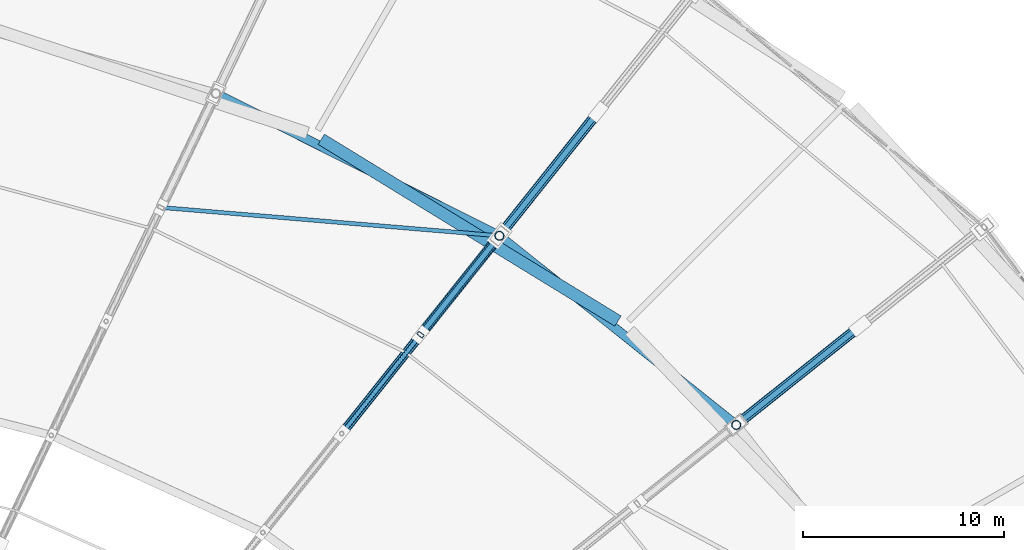
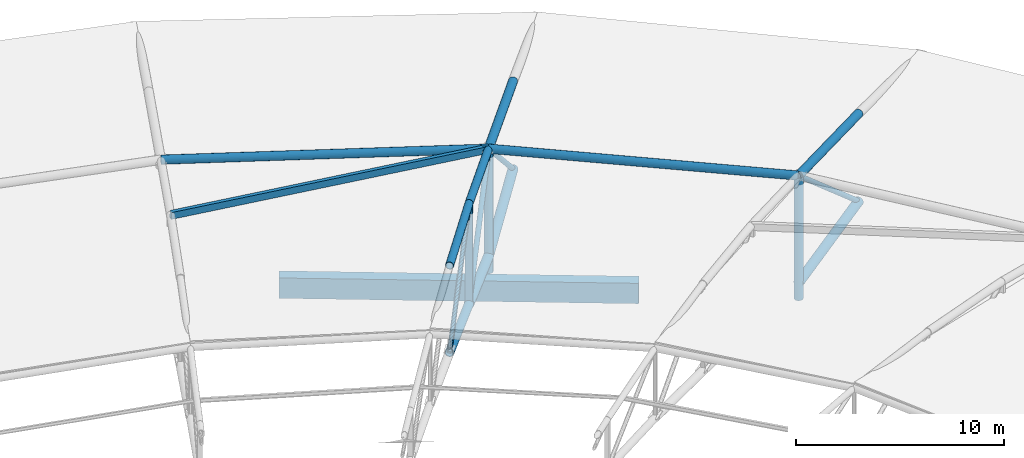
# One storey, part 79 of 108: 18 members, 1 beam.
"""IFC4 building model written with IfcOpenShell, lengths in metres."""

from ifc_helpers import new_model, si_unit, direction, frame, origin, origin_2d, place, context, subcontext, project, spatial, rectangle, hollow_rectangle, hollow_circle, extrude, material, material_profile, profile_set, type_object, element, save


model = new_model("IFC4")

# Units and contexts
model_context = context("Model", 3, precision=1e-05, world=origin(), true_north=direction((0.0, 1.0)))
body_context = subcontext(model_context, "Body", "Model", "MODEL_VIEW")
ifc_project = project(units=[si_unit("LENGTHUNIT", "METRE"), si_unit("AREAUNIT", "SQUARE_METRE"), si_unit("VOLUMEUNIT", "CUBIC_METRE"), si_unit("PLANEANGLEUNIT", "RADIAN"), si_unit("MASSUNIT", "GRAM", prefix="KILO")], contexts=[model_context])

# Site, building, storey
site_placement = place(None, origin())
site = spatial("IfcSite", under=ifc_project, at=site_placement, CompositionType="ELEMENT")
building_placement = place(site_placement, origin())
building = spatial("IfcBuilding", under=site, at=building_placement, Name="Zevraka Park Crest Stadium", CompositionType="ELEMENT")
storey_placement = place(building_placement, frame((0.0, 0.0, 29.39990234375)))
storey = spatial("IfcBuildingStorey", under=building, at=storey_placement, Name="RF", CompositionType="ELEMENT", Elevation=29.39990234375)

# Beam
ifc_material_1 = material(Name="Concrete C40/50", Category="concrete")
ifc_material_profile_1 = material_profile(ifc_material_1, rectangle(XDim=0.60009765625, YDim=1.199951171875, at=origin_2d()), Name="RC 1200x600")
ifc_profile_set_1 = profile_set([ifc_material_profile_1], Name="Concrete C40/50")
beam_type = type_object("IfcBeamType", Name="RB01", PredefinedType="BEAM", material=ifc_profile_set_1)
beam_placement = place(storey_placement, frame((164.35498046875, 134.27197265625, -0.599853515625), z_axis=(-0.852632623571, 0.522510869956, 0.0), x_axis=(-0.522510869956, -0.852632623571, 0.0)))
element("IfcBeam", 1, at=beam_placement, inside=storey, type_object=beam_type, Name="Ring Beam RB01 RF-B-03", PredefinedType="BEAM", context=body_context, shape_type="SweptSolid", body=[
    extrude(rectangle(XDim=0.60009765625, YDim=1.199951171875, at=origin_2d()), origin(), (0.0, 0.0, 1.0), 17.335693359375),
])

# Members
ifc_material_2 = material(Name="Steel S355", Category="steel")
ifc_material_profile_2 = material_profile(ifc_material_2, hollow_circle(Radius=0.25390625, WallThickness=0.030029296875, at=origin_2d()), Name="CHS 508.0x30")
ifc_profile_set_2 = profile_set([ifc_material_profile_2], Name="Steel S355")
member_type_1 = type_object("IfcMemberType", Name="TC01", PredefinedType="CHORD", material=ifc_profile_set_2)
member_1_placement = place(storey_placement, frame((176.423095703125, 134.02294921875, 0.550048828125), z_axis=(-0.78112320317, -0.622805358585, 0.044272189769), x_axis=(0.623416614884, -0.781889841529, 0.0)))
element("IfcMember", 2, at=member_1_placement, inside=storey, type_object=member_type_1, Name="Roof Truss Bottom Chord TC01 T04-2", PredefinedType="CHORD", context=body_context, shape_type="SweptSolid", body=[
    extrude(hollow_circle(Radius=0.25390625, WallThickness=0.030029296875, at=origin_2d()), origin(), (0.0, 0.0, 1.0), 7.907958984375),
])
member_2_placement = place(storey_placement, frame((163.3759765625, 144.695068359375, 0.550048828125), z_axis=(-0.622941021259, -0.78101496827, 0.04427305469), x_axis=(0.781781530396, -0.623552434629, 0.0)))
element("IfcMember", 3, at=member_2_placement, inside=storey, type_object=member_type_1, Name="Roof Truss Bottom Chord TC01 T05-2", PredefinedType="CHORD", context=body_context, shape_type="SweptSolid", body=[
    extrude(hollow_circle(Radius=0.25390625, WallThickness=0.030029296875, at=origin_2d()), origin(), (0.0, 0.0, 1.0), 7.90771484375),
])
member_3_placement = place(storey_placement, frame((158.449951171875, 138.51904296875, 0.900146484375), z_axis=(-0.605398728086, -0.759222458611, 0.238900896551), x_axis=(0.781862092926, -0.623451415626, 0.0)))
element("IfcMember", 4, at=member_3_placement, inside=storey, type_object=member_type_1, Name="Roof Truss Bottom Chord TC01 T05-3", PredefinedType="CHORD", context=body_context, shape_type="SweptSolid", body=[
    extrude(hollow_circle(Radius=0.25390625, WallThickness=0.030029296875, at=origin_2d()), origin(), (0.0, 0.0, 1.0), 6.48828125),
])
ifc_material_3 = material(Name="Steel S355", Category="steel")
ifc_material_profile_3 = material_profile(ifc_material_3, hollow_circle(Radius=0.228515625, WallThickness=0.02490234375, at=origin_2d()), Name="CHS 457.0x25")
ifc_profile_set_3 = profile_set([ifc_material_profile_3], Name="Steel S355")
member_type_2 = type_object("IfcMemberType", Name="TC02", PredefinedType="CHORD", material=ifc_profile_set_3)
member_4_placement = place(storey_placement, frame((170.24609375, 129.097900390625, 0.0), z_axis=(0.0, 0.0, 1.0), x_axis=(0.781847027868, 0.623470308046, 0.0)))
element("IfcMember", 5, at=member_4_placement, inside=storey, type_object=member_type_2, Name="Roof Truss Anchor Strut TC02 T04-2", PredefinedType="CHORD", context=body_context, shape_type="SweptSolid", body=[
    extrude(hollow_circle(Radius=0.228515625, WallThickness=0.02490234375, at=origin_2d()), origin(), (0.0, 0.0, 1.0), 7.2001953125),
])
member_5_placement = place(storey_placement, frame((176.423095703125, 134.02294921875, 5.7001953125), z_axis=(-0.768165836741, -0.612474187762, 0.186538512349), x_axis=(0.623416614884, -0.781889841529, 0.0)))
element("IfcMember", 6, at=member_5_placement, inside=storey, type_object=member_type_2, Name="Roof Truss Top Chord TC02 T04-2", PredefinedType="CHORD", context=body_context, shape_type="SweptSolid", body=[
    extrude(hollow_circle(Radius=0.228515625, WallThickness=0.02490234375, at=origin_2d()), origin(), (0.0, 0.0, 1.0), 8.041259765625),
])
member_6_placement = place(storey_placement, frame((158.449951171875, 138.51904296875, 0.0), z_axis=(0.0, 0.0, 1.0), x_axis=(0.623470308046, 0.781847027868, 0.0)))
element("IfcMember", 7, at=member_6_placement, inside=storey, type_object=member_type_2, Name="Roof Truss Anchor Strut TC02 T05-2", PredefinedType="CHORD", context=body_context, shape_type="SweptSolid", body=[
    extrude(hollow_circle(Radius=0.228515625, WallThickness=0.02490234375, at=origin_2d()), origin(), (0.0, 0.0, 1.0), 7.2001953125),
])
member_7_placement = place(storey_placement, frame((163.3759765625, 144.695068359375, 5.7001953125), z_axis=(-0.612607206278, -0.768058903564, 0.186542036743), x_axis=(0.781781530396, -0.623552434629, 0.0)))
element("IfcMember", 8, at=member_7_placement, inside=storey, type_object=member_type_2, Name="Roof Truss Top Chord TC02 T05-2", PredefinedType="CHORD", context=body_context, shape_type="SweptSolid", body=[
    extrude(hollow_circle(Radius=0.228515625, WallThickness=0.02490234375, at=origin_2d()), origin(), (0.0, 0.0, 1.0), 8.041015625),
])
member_8_placement = place(storey_placement, frame((154.52197265625, 133.593017578125, 2.4501953125), z_axis=(-0.606568918372, -0.760539175233, 0.231634000527), x_axis=(0.781801834506, -0.623526977414, 0.0)))
element("IfcMember", 9, at=member_8_placement, inside=storey, type_object=member_type_2, Name="Roof Truss Bottom Chord TC02 T05-4", PredefinedType="CHORD", context=body_context, shape_type="SweptSolid", body=[
    extrude(hollow_circle(Radius=0.228515625, WallThickness=0.02490234375, at=origin_2d()), origin(), (0.0, 0.0, 1.0), 6.475830078125),
])
member_9_placement = place(storey_placement, frame((170.24609375, 129.097900390625, 7.2001953125), z_axis=(-0.781378161986, 0.624057824221, 0.0), x_axis=(-0.624057824221, -0.781378161986, 0.0)))
element("IfcMember", 10, at=member_9_placement, inside=storey, type_object=member_type_2, Name="Roof Main Bowl-Rim Ring Chord TC02 04", PredefinedType="CHORD", context=body_context, shape_type="SweptSolid", body=[
    extrude(hollow_circle(Radius=0.228515625, WallThickness=0.02490234375, at=origin_2d()), origin(), (0.0, 0.0, 1.0), 15.0966796875),
])
member_10_placement = place(storey_placement, frame((158.449951171875, 138.51904296875, 7.2001953125), z_axis=(-0.893771273237, 0.448523033006, 0.0), x_axis=(-0.448523033006, -0.893771273237, 0.0)))
element("IfcMember", 11, at=member_10_placement, inside=storey, type_object=member_type_2, Name="Roof Main Bowl-Rim Ring Chord TC02 05", PredefinedType="CHORD", context=body_context, shape_type="SweptSolid", body=[
    extrude(hollow_circle(Radius=0.228515625, WallThickness=0.02490234375, at=origin_2d()), origin(), (0.0, 0.0, 1.0), 15.804931640625),
])
ifc_material_4 = material(Name="Steel S355", Category="steel")
ifc_material_profile_4 = material_profile(ifc_material_4, hollow_circle(Radius=0.203125, WallThickness=0.02001953125, at=origin_2d()), Name="CHS 406.4x20")
ifc_profile_set_4 = profile_set([ifc_material_profile_4], Name="Steel S355")
member_type_3 = type_object("IfcMemberType", Name="TC03", PredefinedType="CHORD", material=ifc_profile_set_4)
member_11_placement = place(storey_placement, frame((158.449951171875, 138.51904296875, 7.2001953125), z_axis=(-0.613319917496, -0.769156316447, 0.179547318752), x_axis=(0.781862092926, -0.623451415626, 0.0)))
element("IfcMember", 12, at=member_11_placement, inside=storey, type_object=member_type_3, Name="Roof Truss Top Chord TC03 T05-3", PredefinedType="CHORD", context=body_context, shape_type="SweptSolid", body=[
    extrude(hollow_circle(Radius=0.203125, WallThickness=0.02001953125, at=origin_2d()), origin(), (0.0, 0.0, 1.0), 6.404541015625),
])
member_12_placement = place(storey_placement, frame((154.52197265625, 133.593017578125, 8.35009765625), z_axis=(-0.619713383644, -0.777020205622, 0.110430621599), x_axis=(0.781801834506, -0.623526977414, 0.0)))
element("IfcMember", 13, at=member_12_placement, inside=storey, type_object=member_type_3, Name="Roof Truss Top Chord TC03 T05-4", PredefinedType="CHORD", context=body_context, shape_type="SweptSolid", body=[
    extrude(hollow_circle(Radius=0.203125, WallThickness=0.02001953125, at=origin_2d()), origin(), (0.0, 0.0, 1.0), 6.33837890625),
])
ifc_material_5 = material(Name="Steel S355", Category="steel")
ifc_material_profile_5 = material_profile(ifc_material_5, hollow_circle(Radius=0.136474609375, WallThickness=0.012451171875, at=origin_2d()), Name="CHS 273.0x12.5")
ifc_profile_set_5 = profile_set([ifc_material_profile_5], Name="Steel S355")
member_type_4 = type_object("IfcMemberType", Name="WB01", PredefinedType="BRACE", material=ifc_profile_set_5)
for number, where, z_axis, x_axis, name in (
    (14, (176.423095703125, 134.02294921875, 0.550048828125), (-0.598171895556, -0.476934573695, 0.643990524606), (0.623416614884, -0.781889841529, 0.0), "Roof Truss Web Diagonal WB01 T04-2"),
    (15, (163.3759765625, 144.695068359375, 0.550048828125), (-0.477034607689, -0.598084178555, 0.643997902504), (0.781781530396, -0.623552434629, 0.0), "Roof Truss Web Diagonal WB01 T05-2"),
):
    element("IfcMember", number, at=place(storey_placement, frame(where, z_axis=z_axis, x_axis=x_axis)), inside=storey, type_object=member_type_4, Name=name, PredefinedType="BRACE", context=body_context, shape_type="SweptSolid", body=[
        extrude(hollow_circle(Radius=0.136474609375, WallThickness=0.012451171875, at=origin_2d()), origin(), (0.0, 0.0, 1.0), 10.326416015625),
    ])
member_13_placement = place(storey_placement, frame((154.52197265625, 133.593017578125, 2.4501953125), z_axis=(0.497822093895, 0.624312038567, 0.602003024353), x_axis=(-0.781862092926, 0.623451415626, 0.0)))
element("IfcMember", 16, at=member_13_placement, inside=storey, type_object=member_type_4, Name="Roof Truss Web Diagonal WB01 T05-3", PredefinedType="BRACE", context=body_context, shape_type="SweptSolid", body=[
    extrude(hollow_circle(Radius=0.136474609375, WallThickness=0.012451171875, at=origin_2d()), origin(), (0.0, 0.0, 1.0), 7.890380859375),
])
ifc_material_6 = material(Name="Steel S355", Category="steel")
ifc_material_profile_6 = material_profile(ifc_material_6, hollow_rectangle(XDim=0.199951171875, YDim=0.39990234375, WallThickness=0.01611328125, at=origin_2d()), Name="RHS 400x200x16")
ifc_profile_set_6 = profile_set([ifc_material_profile_6], Name="Steel S355")
member_type_5 = type_object("IfcMemberType", Name="WB06", PredefinedType="BRACE", material=ifc_profile_set_6)
member_14_placement = place(storey_placement, frame((158.449951171875, 138.51904296875, 7.2001953125), z_axis=(-0.994212941194, 0.083319000937, 0.067812769036), x_axis=(-0.083511238402, -0.996506835431, 0.0)))
element("IfcMember", 17, at=member_14_placement, inside=storey, type_object=member_type_5, Name="Canopy Roof Wind Brace WB06 05", PredefinedType="BRACE", context=body_context, shape_type="SweptSolid", body=[
    extrude(hollow_rectangle(XDim=0.199951171875, YDim=0.39990234375, WallThickness=0.01611328125, at=origin_2d()), origin(), (0.0, 0.0, 1.0), 16.95703125),
])
ifc_material_7 = material(Name="Steel S355", Category="steel")
ifc_material_profile_7 = material_profile(ifc_material_7, hollow_circle(Radius=0.122314453125, WallThickness=0.012451171875, at=origin_2d()), Name="CHS 244.5x12.5")
ifc_profile_set_7 = profile_set([ifc_material_profile_7], Name="Steel S355")
member_type_6 = type_object("IfcMemberType", Name="WB07", PredefinedType="BRACE", material=ifc_profile_set_7)
member_15_placement = place(storey_placement, frame((150.593994140625, 128.66796875, 3.9501953125), z_axis=(0.511187534753, 0.64094636948, 0.572603751091), x_axis=(-0.781801834506, 0.623526977414, 0.0)))
element("IfcMember", 18, at=member_15_placement, inside=storey, type_object=member_type_6, Name="Roof Truss Web Diagonal WB07 T05-4", PredefinedType="BRACE", context=body_context, shape_type="SweptSolid", body=[
    extrude(hollow_circle(Radius=0.122314453125, WallThickness=0.012451171875, at=origin_2d()), origin(), (0.0, 0.0, 1.0), 7.68408203125),
])
ifc_material_8 = material(Name="Steel S355", Category="steel")
ifc_material_profile_8 = material_profile(ifc_material_8, hollow_rectangle(XDim=0.175048828125, YDim=0.35009765625, WallThickness=0.012451171875, at=origin_2d()), Name="RHS 350x175x12.5")
ifc_profile_set_8 = profile_set([ifc_material_profile_8], Name="Steel S355")
member_type_7 = type_object("IfcMemberType", Name="WB09", PredefinedType="BRACE", material=ifc_profile_set_8)
member_16_placement = place(storey_placement, frame((154.52197265625, 133.593017578125, 2.4501953125), z_axis=(0.0, 0.0, 1.0), x_axis=(0.623470308046, 0.781847027868, 0.0)))
element("IfcMember", 19, at=member_16_placement, inside=storey, type_object=member_type_7, Name="Roof Truss Web Post WB09 T05-3", PredefinedType="BRACE", context=body_context, shape_type="SweptSolid", body=[
    extrude(hollow_rectangle(XDim=0.175048828125, YDim=0.35009765625, WallThickness=0.012451171875, at=origin_2d()), origin(), (0.0, 0.0, 1.0), 5.89990234375),
])

save(model, "model.ifc")
